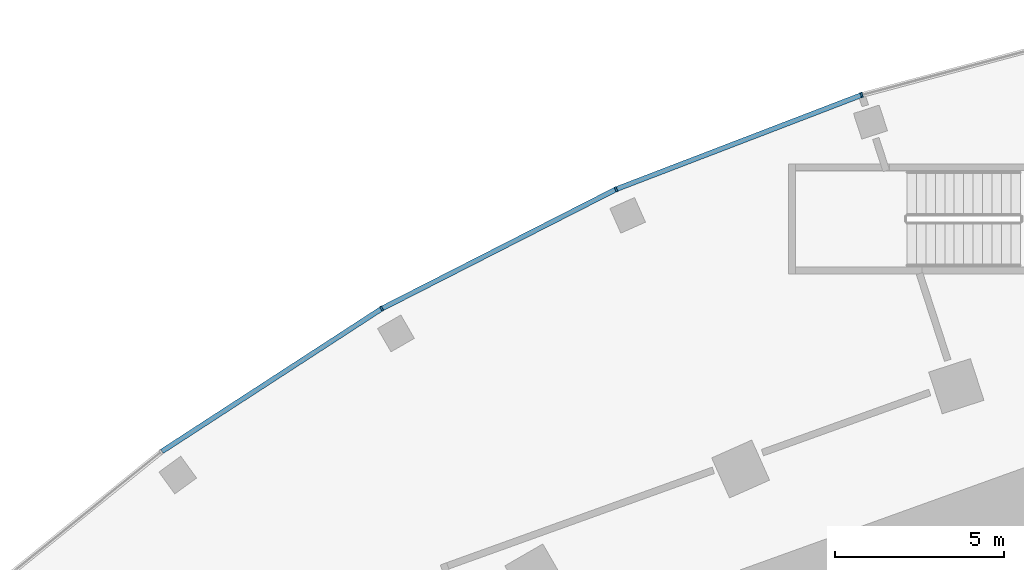
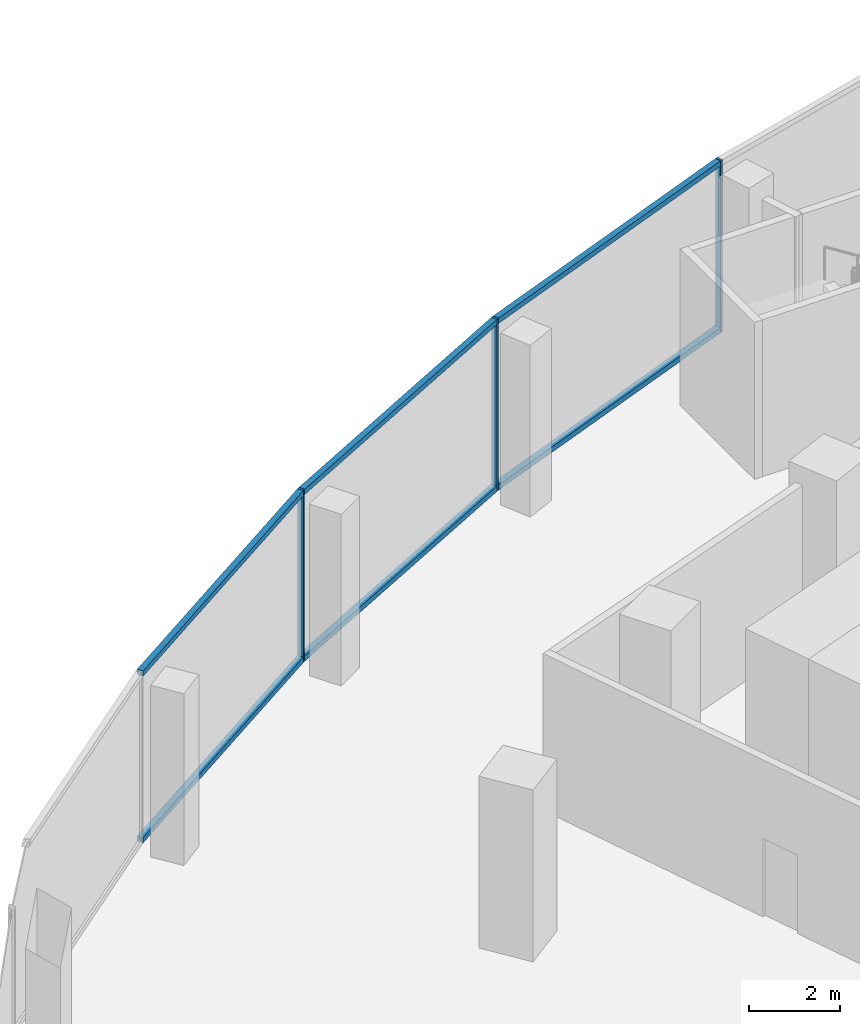
# One storey, part 7 of 40: 9 members, 1 element without a shape of its own.
"""IFC4 building model written with IfcOpenShell, lengths in metres."""

from ifc_helpers import new_model, si_unit, direction, frame, origin, origin_2d, place, context, subcontext, project, spatial, rectangle, extrude, material, layer, layer_set, material_profile, profile_set, type_object, element, aggregate, save


model = new_model("IFC4")

# Units and contexts
model_context = context("Model", 3, precision=1e-05, world=origin(), true_north=direction((0.0, 1.0)))
body_context = subcontext(model_context, "Body", "Model", "MODEL_VIEW")
ifc_project = project(units=[si_unit("LENGTHUNIT", "METRE"), si_unit("AREAUNIT", "SQUARE_METRE"), si_unit("VOLUMEUNIT", "CUBIC_METRE"), si_unit("PLANEANGLEUNIT", "RADIAN"), si_unit("MASSUNIT", "GRAM", prefix="KILO")], contexts=[model_context])

# Site, building, storey
site_placement = place(None, origin())
site = spatial("IfcSite", under=ifc_project, at=site_placement, CompositionType="ELEMENT")
building_placement = place(site_placement, origin())
building = spatial("IfcBuilding", under=site, at=building_placement, Name="Stone Belt Terrace Tower", CompositionType="ELEMENT")
storey_placement = place(building_placement, frame((0.0, 0.0, 7.0)))
storey = spatial("IfcBuildingStorey", under=building, at=storey_placement, Name="L01", CompositionType="ELEMENT", Elevation=7.0)

# Curtain wall, members
ifc_material = material(Name="Aluminium 6063-T6 anodised frame", Category="aluminium")
ifc_layer = layer(ifc_material, 0.14990234375)
ifc_layer_set = layer_set([ifc_layer], Name="CW-D podium shopfront")
curtain_wall_type = type_object("IfcCurtainWallType", Name="CW-D podium shopfront", PredefinedType="NOTDEFINED", material=ifc_layer_set)
curtain_wall_placement = place(storey_placement, origin())
curtain_wall = element("IfcCurtainWall", 1, at=curtain_wall_placement, inside=storey, type_object=curtain_wall_type, Name="CW-D convex face L01", PredefinedType="NOTDEFINED")
ifc_material_profile_1 = material_profile(ifc_material, rectangle(XDim=0.14990234375, YDim=0.06005859375, at=origin_2d()), Name="Aluminium 6063-T6 60x150")
ifc_profile_set_1 = profile_set([ifc_material_profile_1], Name="Aluminium 6063-T6 anodised frame")
member_type_1 = type_object("IfcMemberType", Name="CW-D mullion 60 x 150", PredefinedType="MULLION", material=ifc_profile_set_1)
member_1_placement = place(storey_placement, frame((-23.044921875, 70.925048828125, 0.0), z_axis=(0.0, 0.0, 1.0), x_axis=(0.309016994375, -0.951056516295, 0.0)))
member_1 = element("IfcMember", 2, at=member_1_placement, type_object=member_type_1, Name="CW-D mullion 16", PredefinedType="MULLION", context=body_context, shape_type="SweptSolid", body=[
    extrude(rectangle(XDim=0.14990234375, YDim=0.06005859375, at=origin_2d()), origin(), (0.0, 0.0, 1.0), 4.60009765625),
])
member_2_placement = place(storey_placement, frame((-30.33251953125, 68.127685546875, 0.0), z_axis=(0.0, 0.0, 1.0), x_axis=(0.406736643076, -0.913545457643, 0.0)))
member_2 = element("IfcMember", 3, at=member_2_placement, type_object=member_type_1, Name="CW-D mullion 17", PredefinedType="MULLION", context=body_context, shape_type="SweptSolid", body=[
    extrude(rectangle(XDim=0.14990234375, YDim=0.06005859375, at=origin_2d()), origin(), (0.0, 0.0, 1.0), 4.60009765625),
])
member_3_placement = place(storey_placement, frame((-37.28759765625, 64.583984375, 0.0), z_axis=(0.0, 0.0, 1.0), x_axis=(0.5, -0.866025403784, 0.0)))
member_3 = element("IfcMember", 4, at=member_3_placement, type_object=member_type_1, Name="CW-D mullion 18", PredefinedType="MULLION", context=body_context, shape_type="SweptSolid", body=[
    extrude(rectangle(XDim=0.14990234375, YDim=0.06005859375, at=origin_2d()), origin(), (0.0, 0.0, 1.0), 4.60009765625),
])
ifc_material_profile_2 = material_profile(ifc_material, rectangle(XDim=0.14990234375, YDim=0.139892578125, at=origin_2d()), Name="Aluminium 6063-T6 150x140")
ifc_profile_set_2 = profile_set([ifc_material_profile_2], Name="Aluminium 6063-T6 anodised frame")
member_type_2 = type_object("IfcMemberType", Name="CW-D transom 140 x 150", PredefinedType="USERDEFINED", material=ifc_profile_set_2)
member_4_placement = place(storey_placement, frame((-23.07666015625, 70.9130859375, 0.070068359375), z_axis=(-0.933575536994, -0.358380686878, 0.0), x_axis=(0.358380686878, -0.933575536994, 0.0)))
member_4 = element("IfcMember", 5, at=member_4_placement, type_object=member_type_2, Name="CW-D transom 16.1", ObjectType="TRANSOM", PredefinedType="USERDEFINED", context=body_context, shape_type="SweptSolid", body=[
    extrude(rectangle(XDim=0.14990234375, YDim=0.139892578125, at=origin_2d()), origin(), (0.0, 0.0, 1.0), 7.738037109375),
])
member_5_placement = place(storey_placement, frame((-23.07666015625, 70.9130859375, 4.530029296875), z_axis=(-0.933575536994, -0.358380686878, 0.0), x_axis=(0.358380686878, -0.933575536994, 0.0)))
member_5 = element("IfcMember", 6, at=member_5_placement, type_object=member_type_2, Name="CW-D transom 16.2", ObjectType="TRANSOM", PredefinedType="USERDEFINED", context=body_context, shape_type="SweptSolid", body=[
    extrude(rectangle(XDim=0.14990234375, YDim=0.139892578125, at=origin_2d()), origin(), (0.0, 0.0, 1.0), 7.738037109375),
])
member_6_placement = place(storey_placement, frame((-30.362548828125, 68.1123046875, 0.070068359375), z_axis=(-0.891013010183, -0.453977770034, 0.0), x_axis=(0.453977770034, -0.891013010183, 0.0)))
member_6 = element("IfcMember", 7, at=member_6_placement, type_object=member_type_2, Name="CW-D transom 17.1", ObjectType="TRANSOM", PredefinedType="USERDEFINED", context=body_context, shape_type="SweptSolid", body=[
    extrude(rectangle(XDim=0.14990234375, YDim=0.139892578125, at=origin_2d()), origin(), (0.0, 0.0, 1.0), 7.738037109375),
])
member_7_placement = place(storey_placement, frame((-30.362548828125, 68.1123046875, 4.530029296875), z_axis=(-0.891013010183, -0.453977770034, 0.0), x_axis=(0.453977770034, -0.891013010183, 0.0)))
member_7 = element("IfcMember", 8, at=member_7_placement, type_object=member_type_2, Name="CW-D transom 17.2", ObjectType="TRANSOM", PredefinedType="USERDEFINED", context=body_context, shape_type="SweptSolid", body=[
    extrude(rectangle(XDim=0.14990234375, YDim=0.139892578125, at=origin_2d()), origin(), (0.0, 0.0, 1.0), 7.738037109375),
])
member_8_placement = place(storey_placement, frame((-37.31591796875, 64.5654296875, 0.070068359375), z_axis=(-0.83867853224, -0.54462677088, 0.0), x_axis=(0.54462677088, -0.83867853224, 0.0)))
member_8 = element("IfcMember", 9, at=member_8_placement, type_object=member_type_2, Name="CW-D transom 18.1", ObjectType="TRANSOM", PredefinedType="USERDEFINED", context=body_context, shape_type="SweptSolid", body=[
    extrude(rectangle(XDim=0.14990234375, YDim=0.139892578125, at=origin_2d()), origin(), (0.0, 0.0, 1.0), 7.738037109375),
])
member_9_placement = place(storey_placement, frame((-37.31591796875, 64.5654296875, 4.530029296875), z_axis=(-0.83867853224, -0.54462677088, 0.0), x_axis=(0.54462677088, -0.83867853224, 0.0)))
member_9 = element("IfcMember", 10, at=member_9_placement, type_object=member_type_2, Name="CW-D transom 18.2", ObjectType="TRANSOM", PredefinedType="USERDEFINED", context=body_context, shape_type="SweptSolid", body=[
    extrude(rectangle(XDim=0.14990234375, YDim=0.139892578125, at=origin_2d()), origin(), (0.0, 0.0, 1.0), 7.738037109375),
])
aggregate(curtain_wall, [member_1, member_2, member_3, member_4, member_5, member_6, member_7, member_8, member_9])

save(model, "model.ifc")
